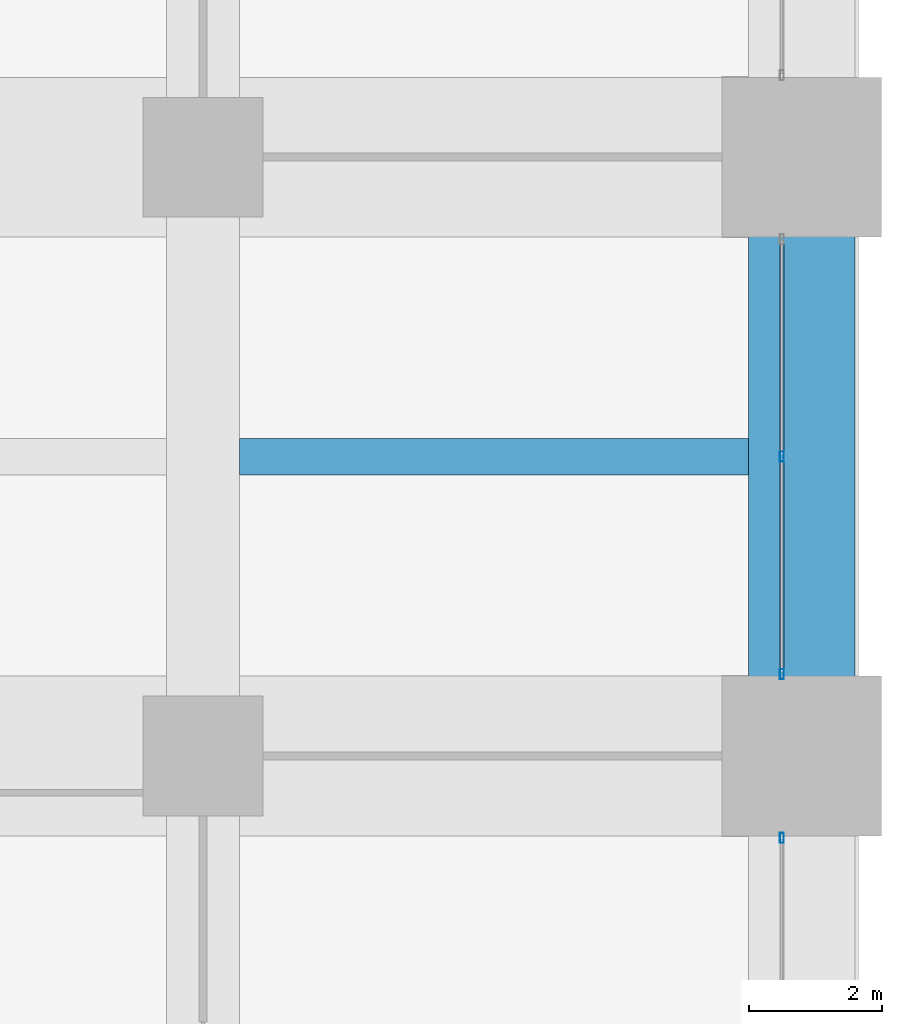
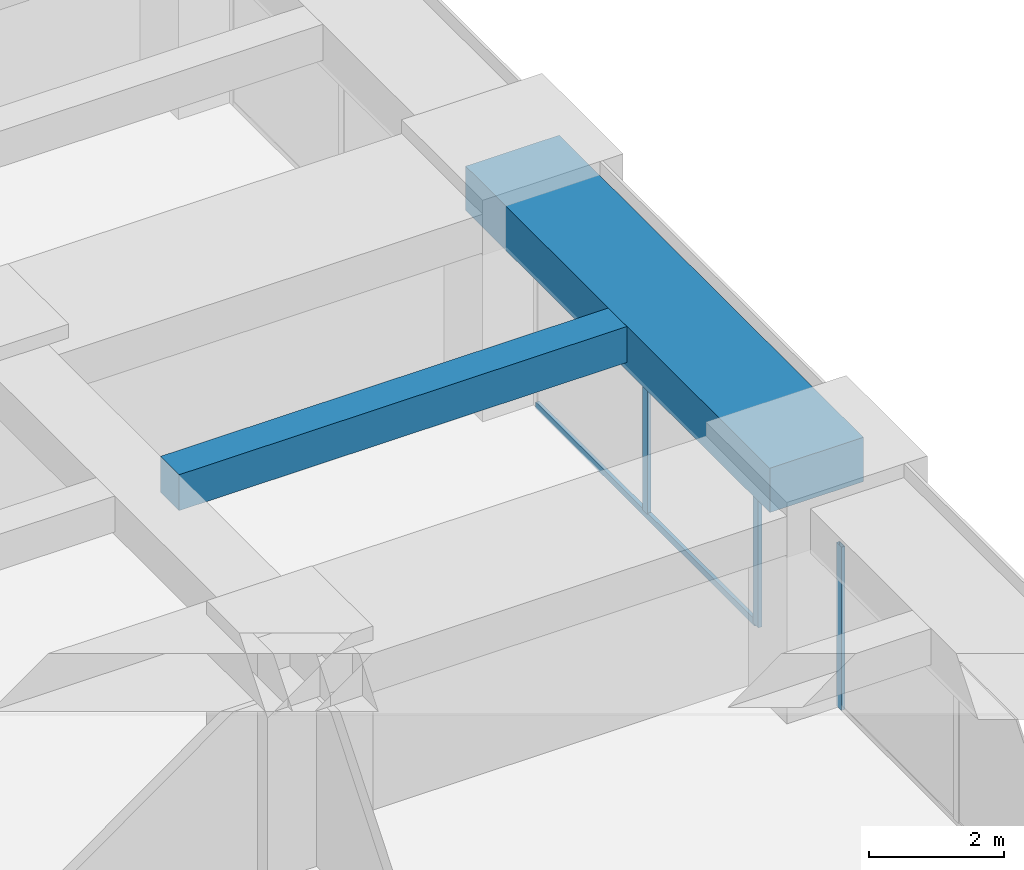
# One storey, part 21 of 43: 4 members, 2 beams, 2 elements without a shape of their own.
"""IFC4 building model written with IfcOpenShell, lengths in metres."""

from ifc_helpers import new_model, si_unit, direction, frame, origin, origin_2d, place, context, subcontext, project, spatial, rectangle, hollow_rectangle, extrude, material, material_profile, profile_set, type_object, element, aggregate, save


model = new_model("IFC4")

# Units and contexts
model_context = context("Model", 3, precision=1e-05, world=origin(), true_north=direction((0.0, 1.0)))
body_context = subcontext(model_context, "Body", "Model", "MODEL_VIEW")
ifc_project = project(units=[si_unit("LENGTHUNIT", "METRE"), si_unit("AREAUNIT", "SQUARE_METRE"), si_unit("VOLUMEUNIT", "CUBIC_METRE"), si_unit("PLANEANGLEUNIT", "RADIAN"), si_unit("MASSUNIT", "GRAM", prefix="KILO")], contexts=[model_context])

# Site, building, storey
site_placement = place(None, origin())
site = spatial("IfcSite", under=ifc_project, at=site_placement, CompositionType="ELEMENT")
building_placement = place(site_placement, origin())
building = spatial("IfcBuilding", under=site, at=building_placement, Name="Zorevar Civic Tower", CompositionType="ELEMENT")
storey_placement = place(building_placement, frame((0.0, 0.0, 141.0)))
storey = spatial("IfcBuildingStorey", under=building, at=storey_placement, Name="L34", CompositionType="ELEMENT", Elevation=141.0)

# Beam
ifc_material_1 = material(Name="Concrete C50/60", Category="concrete")
ifc_material_profile_1 = material_profile(ifc_material_1, rectangle(XDim=0.550048828125, YDim=0.64990234375, at=origin_2d()), Name="RC 550x650")
ifc_profile_set_1 = profile_set([ifc_material_profile_1], Name="Concrete C50/60")
beam_type_1 = type_object("IfcBeamType", Name="Beam RC 550x650", PredefinedType="BEAM", material=ifc_profile_set_1)
beam_1_placement = place(storey_placement, frame((54.550048828125, 22.5, 3.425048828125), z_axis=(1.0, 0.0, 0.0), x_axis=(0.0, 1.0, 0.0)))
element("IfcBeam", 1, at=beam_1_placement, inside=storey, type_object=beam_type_1, Name="Secondary beam L35", PredefinedType="BEAM", context=body_context, shape_type="SweptSolid", body=[
    extrude(rectangle(XDim=0.550048828125, YDim=0.64990234375, at=origin_2d()), origin(), (0.0, 0.0, 1.0), 7.64990234375),
])

# Curtain wall, member
ifc_material_2 = material(Name="Dark grey solar-control glass in black aluminium frame", Category="aluminium")
curtain_wall_type = type_object("IfcCurtainWallType", Name="Curtain wall CW3 mid zone", PredefinedType="NOTDEFINED", material=ifc_material_2)
curtain_wall_1_placement = place(storey_placement, origin())
curtain_wall_1 = element("IfcCurtainWall", 2, at=curtain_wall_1_placement, inside=storey, type_object=curtain_wall_type, Name="CW3 L34", PredefinedType="NOTDEFINED")
ifc_material_3 = material(Name="Aluminium, black anodised", Category="aluminium")
ifc_material_profile_2 = material_profile(ifc_material_3, hollow_rectangle(XDim=0.06005859375, YDim=0.14990234375, WallThickness=0.00390625, at=origin_2d()), Name="AL 150x60x4")
ifc_profile_set_2 = profile_set([ifc_material_profile_2], Name="Aluminium, black anodised")
member_type_1 = type_object("IfcMemberType", Name="CW3 mullion AL 150x60x4", PredefinedType="MULLION", material=ifc_profile_set_2)
member_1_placement = place(storey_placement, frame((62.699951171875, 16.77001953125, 0.0), z_axis=(0.0, 0.0, 1.0), x_axis=(-1.0, 0.0, 0.0)))
member_1 = element("IfcMember", 3, at=member_1_placement, type_object=member_type_1, Name="CW3 mullion 3", PredefinedType="MULLION", context=body_context, shape_type="SweptSolid", body=[
    extrude(hollow_rectangle(XDim=0.06005859375, YDim=0.14990234375, WallThickness=0.00390625, at=origin_2d()), origin(), (0.0, 0.0, 1.0), 2.949951171875),
])
aggregate(curtain_wall_1, [member_1])

# Curtain wall, members
curtain_wall_2_placement = place(storey_placement, origin())
curtain_wall_2 = element("IfcCurtainWall", 4, at=curtain_wall_2_placement, inside=storey, type_object=curtain_wall_type, Name="CW3 L34", PredefinedType="NOTDEFINED")
member_2_placement = place(storey_placement, frame((62.699951171875, 19.22998046875, 0.0), z_axis=(0.0, 0.0, 1.0), x_axis=(-1.0, 0.0, 0.0)))
member_2 = element("IfcMember", 5, at=member_2_placement, type_object=member_type_1, Name="CW3 mullion 1", PredefinedType="MULLION", context=body_context, shape_type="SweptSolid", body=[
    extrude(hollow_rectangle(XDim=0.06005859375, YDim=0.14990234375, WallThickness=0.00390625, at=origin_2d()), origin(), (0.0, 0.0, 1.0), 2.949951171875),
])
member_3_placement = place(storey_placement, frame((62.699951171875, 22.5, 0.06005859375), z_axis=(0.0, 0.0, 1.0), x_axis=(-1.0, 0.0, 0.0)))
member_3 = element("IfcMember", 6, at=member_3_placement, type_object=member_type_1, Name="CW3 mullion 2", PredefinedType="MULLION", context=body_context, shape_type="SweptSolid", body=[
    extrude(hollow_rectangle(XDim=0.06005859375, YDim=0.14990234375, WallThickness=0.00390625, at=origin_2d()), origin(), (0.0, 0.0, 1.0), 2.889892578125),
])
ifc_material_4 = material(Name="Aluminium, black anodised", Category="aluminium")
ifc_material_profile_3 = material_profile(ifc_material_4, hollow_rectangle(XDim=0.06005859375, YDim=0.1201171875, WallThickness=0.0029296875, at=origin_2d()), Name="AL 120x60x3")
ifc_profile_set_3 = profile_set([ifc_material_profile_3], Name="Aluminium, black anodised")
member_type_2 = type_object("IfcMemberType", Name="CW3 transom AL 120x60x3", PredefinedType="USERDEFINED", material=ifc_profile_set_3)
member_4_placement = place(storey_placement, frame((62.699951171875, 19.260009765625, 0.030029296875), z_axis=(0.0, 1.0, 0.0), x_axis=(-1.0, 0.0, 0.0)))
member_4 = element("IfcMember", 7, at=member_4_placement, type_object=member_type_2, Name="CW3 sill transom", ObjectType="TRANSOM", PredefinedType="USERDEFINED", context=body_context, shape_type="SweptSolid", body=[
    extrude(hollow_rectangle(XDim=0.06005859375, YDim=0.1201171875, WallThickness=0.0029296875, at=origin_2d()), origin(), (0.0, 0.0, 1.0), 6.47998046875),
])
aggregate(curtain_wall_2, [member_2, member_3, member_4])

# Beam
ifc_material_5 = material(Name="Concrete C50/60", Category="concrete")
ifc_material_profile_4 = material_profile(ifc_material_5, rectangle(XDim=1.60009765625, YDim=0.800048828125, at=origin_2d()), Name="RC 1600x800")
ifc_profile_set_4 = profile_set([ifc_material_profile_4], Name="Concrete C50/60")
beam_type_2 = type_object("IfcBeamType", Name="Edge beam RC 1600x800", PredefinedType="SPANDREL", material=ifc_profile_set_4)
beam_2_placement = place(storey_placement, frame((63.0, 18.0, 3.35009765625), z_axis=(0.0, 1.0, 0.0), x_axis=(-1.0, 0.0, 0.0)))
element("IfcBeam", 8, at=beam_2_placement, inside=storey, type_object=beam_type_2, Name="Edge beam L35", PredefinedType="SPANDREL", context=body_context, shape_type="SweptSolid", body=[
    extrude(rectangle(XDim=1.60009765625, YDim=0.800048828125, at=origin_2d()), origin(), (0.0, 0.0, 1.0), 9.0),
])

save(model, "model.ifc")
